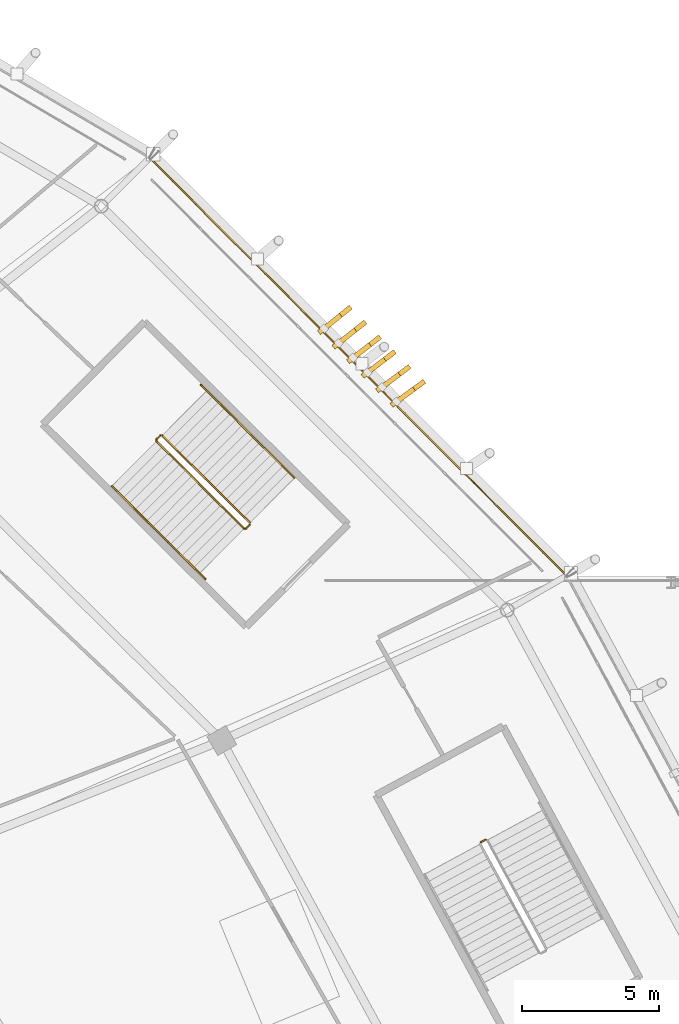
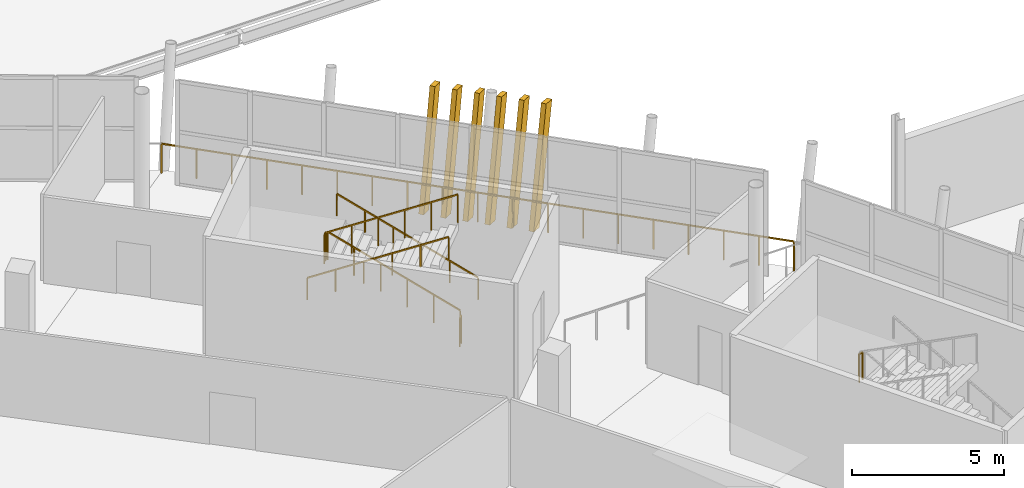
# One storey, part 167 of 179: 8 railings, 6 shading devices.
"""IFC4 building model written with IfcOpenShell, lengths in metres."""

from ifc_helpers import new_model, si_unit, direction, frame, origin, origin_2d, place, context, subcontext, project, spatial, rectangle, extrude, material, material_profile, profile_set, type_object, element, save


model = new_model("IFC4")

# Units and contexts
model_context = context("Model", 3, precision=1e-05, world=origin(), true_north=direction((0.0, 1.0)))
body_context = subcontext(model_context, "Body", "Model", "MODEL_VIEW")
ifc_project = project(units=[si_unit("LENGTHUNIT", "METRE"), si_unit("AREAUNIT", "SQUARE_METRE"), si_unit("VOLUMEUNIT", "CUBIC_METRE"), si_unit("PLANEANGLEUNIT", "RADIAN"), si_unit("MASSUNIT", "GRAM", prefix="KILO")], contexts=[model_context])

# Site, building, storey
site_placement = place(None, origin())
site = spatial("IfcSite", under=ifc_project, at=site_placement, CompositionType="ELEMENT")
building_placement = place(site_placement, origin())
building = spatial("IfcBuilding", under=site, at=building_placement, Name="Zlatoyarsky Gate Stadium", CompositionType="ELEMENT")
storey_placement = place(building_placement, frame((0.0, 0.0, 10.60009765625)))
storey = spatial("IfcBuildingStorey", under=building, at=storey_placement, Name="L02", CompositionType="ELEMENT", Elevation=10.60009765625)

# Railings
ifc_material_1 = material(Name="Powder-coated steel tubular guardrail", Category="steel")
railing_type_1 = type_object("IfcRailingType", Name="CONCOURSE SLAB EDGE GUARDRAIL 1200", PredefinedType="GUARDRAIL", material=ifc_material_1)
railing_1_placement = place(storey_placement, frame((193.701904296875, 116.747802734375, 0.0)))
element("IfcRailing", 1, at=railing_1_placement, inside=storey, type_object=railing_type_1, Name="L02 outer slab edge guardrail 02", PredefinedType="GUARDRAIL", context=body_context, shape_type="SweptSolid", body=[
    extrude(rectangle(XDim=0.048095703125, YDim=0.048095703125, at=origin_2d()), frame((0.0, 0.0, 1.17578125), z_axis=(-0.706043981581, 0.708167985773, 0.0), x_axis=(-0.708167985773, -0.706043981581, 0.0)), (0.0, 0.0, 1.0), 21.494384765625),
    extrude(rectangle(XDim=0.0419921875, YDim=0.0419921875, at=origin_2d()), origin(), (0.0, 0.0, 1.0), 1.15185546875),
    extrude(rectangle(XDim=0.0419921875, YDim=0.0419921875, at=origin_2d()), frame((-0.843017578125, 0.845703125, 0.0)), (0.0, 0.0, 1.0), 1.15185546875),
    extrude(rectangle(XDim=0.0419921875, YDim=0.0419921875, at=origin_2d()), frame((-1.686279296875, 1.69140625, 0.0)), (0.0, 0.0, 1.0), 1.15185546875),
    extrude(rectangle(XDim=0.0419921875, YDim=0.0419921875, at=origin_2d()), frame((-2.529296875, 2.536865234375, 0.0)), (0.0, 0.0, 1.0), 1.15185546875),
    extrude(rectangle(XDim=0.0419921875, YDim=0.0419921875, at=origin_2d()), frame((-3.37255859375, 3.382568359375, 0.0)), (0.0, 0.0, 1.0), 1.15185546875),
    extrude(rectangle(XDim=0.0419921875, YDim=0.0419921875, at=origin_2d()), frame((-4.215576171875, 4.228271484375, 0.0)), (0.0, 0.0, 1.0), 1.15185546875),
    extrude(rectangle(XDim=0.0419921875, YDim=0.0419921875, at=origin_2d()), frame((-5.05859375, 5.073974609375, 0.0)), (0.0, 0.0, 1.0), 1.15185546875),
    extrude(rectangle(XDim=0.0419921875, YDim=0.0419921875, at=origin_2d()), frame((-5.90185546875, 5.91943359375, 0.0)), (0.0, 0.0, 1.0), 1.15185546875),
    extrude(rectangle(XDim=0.0419921875, YDim=0.0419921875, at=origin_2d()), frame((-6.744873046875, 6.76513671875, 0.0)), (0.0, 0.0, 1.0), 1.15185546875),
    extrude(rectangle(XDim=0.0419921875, YDim=0.0419921875, at=origin_2d()), frame((-7.587890625, 7.61083984375, 0.0)), (0.0, 0.0, 1.0), 1.15185546875),
    extrude(rectangle(XDim=0.0419921875, YDim=0.0419921875, at=origin_2d()), frame((-8.43115234375, 8.45654296875, 0.0)), (0.0, 0.0, 1.0), 1.15185546875),
    extrude(rectangle(XDim=0.0419921875, YDim=0.0419921875, at=origin_2d()), frame((-9.274169921875, 9.30224609375, 0.0)), (0.0, 0.0, 1.0), 1.15185546875),
    extrude(rectangle(XDim=0.0419921875, YDim=0.0419921875, at=origin_2d()), frame((-10.117431640625, 10.147705078125, 0.0)), (0.0, 0.0, 1.0), 1.15185546875),
    extrude(rectangle(XDim=0.0419921875, YDim=0.0419921875, at=origin_2d()), frame((-10.96044921875, 10.993408203125, 0.0)), (0.0, 0.0, 1.0), 1.15185546875),
    extrude(rectangle(XDim=0.0419921875, YDim=0.0419921875, at=origin_2d()), frame((-11.803466796875, 11.839111328125, 0.0)), (0.0, 0.0, 1.0), 1.15185546875),
    extrude(rectangle(XDim=0.0419921875, YDim=0.0419921875, at=origin_2d()), frame((-12.646728515625, 12.684814453125, 0.0)), (0.0, 0.0, 1.0), 1.15185546875),
    extrude(rectangle(XDim=0.0419921875, YDim=0.0419921875, at=origin_2d()), frame((-13.48974609375, 13.5302734375, 0.0)), (0.0, 0.0, 1.0), 1.15185546875),
    extrude(rectangle(XDim=0.0419921875, YDim=0.0419921875, at=origin_2d()), frame((-14.3330078125, 14.3759765625, 0.0)), (0.0, 0.0, 1.0), 1.15185546875),
    extrude(rectangle(XDim=0.0419921875, YDim=0.0419921875, at=origin_2d()), frame((-15.176025390625, 15.2216796875, 0.0)), (0.0, 0.0, 1.0), 1.15185546875),
])
ifc_material_2 = material(Name="Powder-coated steel stair guardrail", Category="steel")
railing_type_2 = type_object("IfcRailingType", Name="PAINTED STEEL STAIR WELL GUARDRAIL 1150", PredefinedType="GUARDRAIL", material=ifc_material_2)
railing_2_placement = place(storey_placement, frame((182.170654296875, 118.681396484375, 0.15625)))
element("IfcRailing", 2, at=railing_2_placement, inside=storey, type_object=railing_type_2, Name="ST-02 L02 stair guard 1", PredefinedType="GUARDRAIL", context=body_context, shape_type="SweptSolid", body=[
    extrude(rectangle(XDim=0.048095703125, YDim=0.048095703125, at=origin_2d()), frame((0.0, 0.0, 1.1259765625), z_axis=(-0.62872528803, 0.625549421735, 0.461944188358), x_axis=(-0.705314101777, -0.708894927217, 0.0)), (0.0, 0.0, 1.0), 5.07373046875),
    extrude(rectangle(XDim=0.0419921875, YDim=0.0419921875, at=origin_2d()), origin(), (0.0, 0.0, 1.0), 1.101806640625),
    extrude(rectangle(XDim=0.0419921875, YDim=0.0419921875, at=origin_2d()), frame((-0.637939453125, 0.634765625, 0.46875)), (0.0, 0.0, 1.0), 1.101806640625),
    extrude(rectangle(XDim=0.0419921875, YDim=0.0419921875, at=origin_2d()), frame((-1.27587890625, 1.26953125, 0.9375)), (0.0, 0.0, 1.0), 1.101806640625),
    extrude(rectangle(XDim=0.0419921875, YDim=0.0419921875, at=origin_2d()), frame((-1.9140625, 1.904296875, 1.40625)), (0.0, 0.0, 1.0), 1.101806640625),
    extrude(rectangle(XDim=0.0419921875, YDim=0.0419921875, at=origin_2d()), frame((-2.552001953125, 2.5390625, 1.875)), (0.0, 0.0, 1.0), 1.101806640625),
    extrude(rectangle(XDim=0.0419921875, YDim=0.0419921875, at=origin_2d()), frame((-3.18994140625, 3.173828125, 2.34375)), (0.0, 0.0, 1.0), 1.101806640625),
])
railing_3_placement = place(storey_placement, frame((178.909912109375, 121.85498046875, 2.5)))
element("IfcRailing", 3, at=railing_3_placement, inside=storey, type_object=railing_type_2, Name="ST-02 L02 stair guard 2", PredefinedType="GUARDRAIL", context=body_context, shape_type="SweptSolid", body=[
    extrude(rectangle(XDim=0.048095703125, YDim=0.048095703125, at=origin_2d()), frame((0.0, 0.0, 1.1259765625), z_axis=(-0.705884473151, -0.708326979978, 0.0), x_axis=(0.708326979978, -0.705884473151, 0.0)), (0.0, 0.0, 1.0), 0.199951171875),
    extrude(rectangle(XDim=0.0419921875, YDim=0.0419921875, at=origin_2d()), origin(), (0.0, 0.0, 1.0), 1.101806640625),
    extrude(rectangle(XDim=0.0419921875, YDim=0.0419921875, at=origin_2d()), frame((-0.14111328125, -0.1416015625, 0.0)), (0.0, 0.0, 1.0), 1.101806640625),
])
railing_4_placement = place(storey_placement, frame((178.76904296875, 121.642578125, 2.65625)))
element("IfcRailing", 4, at=railing_4_placement, inside=storey, type_object=railing_type_2, Name="ST-02 L02 stair guard 3", PredefinedType="GUARDRAIL", context=body_context, shape_type="SweptSolid", body=[
    extrude(rectangle(XDim=0.048095703125, YDim=0.048095703125, at=origin_2d()), frame((0.0, 0.0, 1.1259765625), z_axis=(0.628754384599, -0.625530496655, 0.461930212914), x_axis=(0.705286975187, 0.708921915751, 0.0)), (0.0, 0.0, 1.0), 5.07373046875),
    extrude(rectangle(XDim=0.0419921875, YDim=0.0419921875, at=origin_2d()), origin(), (0.0, 0.0, 1.0), 1.101806640625),
    extrude(rectangle(XDim=0.0419921875, YDim=0.0419921875, at=origin_2d()), frame((0.637939453125, -0.634765625, 0.46875)), (0.0, 0.0, 1.0), 1.101806640625),
    extrude(rectangle(XDim=0.0419921875, YDim=0.0419921875, at=origin_2d()), frame((1.276123046875, -1.26953125, 0.9375)), (0.0, 0.0, 1.0), 1.101806640625),
    extrude(rectangle(XDim=0.0419921875, YDim=0.0419921875, at=origin_2d()), frame((1.9140625, -1.904296875, 1.40625)), (0.0, 0.0, 1.0), 1.101806640625),
    extrude(rectangle(XDim=0.0419921875, YDim=0.0419921875, at=origin_2d()), frame((2.55224609375, -2.5390625, 1.875)), (0.0, 0.0, 1.0), 1.101806640625),
    extrude(rectangle(XDim=0.0419921875, YDim=0.0419921875, at=origin_2d()), frame((3.190185546875, -3.173828125, 2.34375)), (0.0, 0.0, 1.0), 1.101806640625),
])
railing_5_placement = place(storey_placement, frame((182.1708984375, 118.610595703125, 0.0)))
element("IfcRailing", 5, at=railing_5_placement, inside=storey, type_object=railing_type_2, Name="ST-02 L02 stair guard 4", PredefinedType="GUARDRAIL", context=body_context, shape_type="SweptSolid", body=[
    extrude(rectangle(XDim=0.048095703125, YDim=0.048095703125, at=origin_2d()), frame((0.0, 0.0, 1.1259765625), z_axis=(-0.705884473151, -0.708326979978, 0.0), x_axis=(0.708326979978, -0.705884473151, 0.0)), (0.0, 0.0, 1.0), 0.199951171875),
    extrude(rectangle(XDim=0.0419921875, YDim=0.0419921875, at=origin_2d()), origin(), (0.0, 0.0, 1.0), 1.101806640625),
    extrude(rectangle(XDim=0.0419921875, YDim=0.0419921875, at=origin_2d()), frame((-0.14111328125, -0.1416015625, 0.0)), (0.0, 0.0, 1.0), 1.101806640625),
])
railing_6_placement = place(storey_placement, frame((190.7509765625, 107.14208984375, 2.5)))
element("IfcRailing", 6, at=railing_6_placement, inside=storey, type_object=railing_type_2, Name="ST-13 L02 stair guard 2", PredefinedType="GUARDRAIL", context=body_context, shape_type="SweptSolid", body=[
    extrude(rectangle(XDim=0.048095703125, YDim=0.048095703125, at=origin_2d()), frame((0.0, 0.0, 1.1259765625), z_axis=(-0.878780312785, -0.477226530971, 0.0), x_axis=(0.477226530971, -0.878780312785, 0.0)), (0.0, 0.0, 1.0), 0.199951171875),
    extrude(rectangle(XDim=0.0419921875, YDim=0.0419921875, at=origin_2d()), origin(), (0.0, 0.0, 1.0), 1.101806640625),
    extrude(rectangle(XDim=0.0419921875, YDim=0.0419921875, at=origin_2d()), frame((-0.17578125, -0.095458984375, 0.0)), (0.0, 0.0, 1.0), 1.101806640625),
])

# Shading devices
ifc_material_3 = material(Name="Precast concrete C40/50 stone-toned architectural rib", Category="masonry")
ifc_material_profile = material_profile(ifc_material_3, rectangle(XDim=0.179931640625, YDim=0.47998046875, at=origin_2d()), Name="RIB 180X480")
ifc_profile_set = profile_set([ifc_material_profile], Name="Precast concrete C40/50 stone-toned architectural rib")
shading_device_type = type_object("IfcShadingDeviceType", Name="PRECAST RIBBED BOWL LOUVRE FIN 180X480", PredefinedType="JALOUSIE", material=ifc_profile_set)
shading_device_placement = place(storey_placement, frame((187.51611328125, 123.091064453125, -0.010009765625), z_axis=(0.178821909415, 0.130781788728, 0.97515067987), x_axis=(-0.590323267445, 0.807166921964, 0.0)))
element("IfcShadingDevice", 7, at=shading_device_placement, inside=storey, type_object=shading_device_type, Name="Leaning bowl louvre fin L02-02-1", PredefinedType="JALOUSIE", context=body_context, shape_type="SweptSolid", body=[
    extrude(rectangle(XDim=0.179931640625, YDim=0.47998046875, at=origin_2d()), origin(), (0.0, 0.0, 1.0), 4.59423828125),
])
for number, where, z_axis, x_axis, name in (
    (8, (186.98681640625, 123.622314453125, -0.010009765625), (0.177548363437, 0.132430566203, 0.975160870716), (-0.597886593445, 0.801580701725, 0.0), "Leaning bowl louvre fin L02-02-2"),
    (9, (186.457275390625, 124.1533203125, -0.010009765625), (0.176325516309, 0.134077539978, 0.975157692669), (-0.605283981389, 0.796009611672, 0.0), "Leaning bowl louvre fin L02-02-3"),
    (10, (185.927734375, 124.684814453125, -0.010009765625), (0.175104465299, 0.13561960408, 0.975164472908), (-0.612328041974, 0.790603800277, 0.0), "Leaning bowl louvre fin L02-02-4"),
):
    element("IfcShadingDevice", number, at=place(storey_placement, frame(where, z_axis=z_axis, x_axis=x_axis)), inside=storey, type_object=shading_device_type, Name=name, PredefinedType="JALOUSIE", context=body_context, shape_type="SweptSolid", body=[
        extrude(rectangle(XDim=0.179931640625, YDim=0.47998046875, at=origin_2d()), origin(), (0.0, 0.0, 1.0), 4.593994140625),
    ])
for number, where, z_axis, x_axis, name in (
    (11, (185.398193359375, 125.2158203125, -0.010009765625), (0.173880188722, 0.13726544238, 0.975153258877), (-0.619620954857, 0.78490118633, 0.0), "Leaning bowl louvre fin L02-02-5"),
    (12, (184.868896484375, 125.7470703125, -0.010009765625), (0.172604930149, 0.138859816034, 0.975154085045), (-0.626828302865, 0.779157415884, 0.0), "Leaning bowl louvre fin L02-02-6"),
):
    element("IfcShadingDevice", number, at=place(storey_placement, frame(where, z_axis=z_axis, x_axis=x_axis)), inside=storey, type_object=shading_device_type, Name=name, PredefinedType="JALOUSIE", context=body_context, shape_type="SweptSolid", body=[
        extrude(rectangle(XDim=0.179931640625, YDim=0.47998046875, at=origin_2d()), origin(), (0.0, 0.0, 1.0), 4.59423828125),
    ])

# Railings
ifc_material_4 = material(Name="Brushed stainless steel 316 handrail", Category="steel")
railing_type_3 = type_object("IfcRailingType", Name="STAINLESS STEEL TUBULAR HANDRAIL 900", PredefinedType="HANDRAIL", material=ifc_material_4)
railing_7_placement = place(storey_placement, frame((183.79296875, 120.311767578125, 0.16015625)))
element("IfcRailing", 13, at=railing_7_placement, inside=storey, type_object=railing_type_3, Name="ST-02 L02 stair handrail 1", PredefinedType="HANDRAIL", context=body_context, shape_type="SweptSolid", body=[
    extrude(rectangle(XDim=0.048095703125, YDim=0.048095703125, at=origin_2d()), frame((0.0, 0.0, 0.8759765625), z_axis=(-0.628744833628, 0.625542015205, 0.461927614891), x_axis=(-0.705298886343, -0.708910065469, 0.0)), (0.0, 0.0, 1.0), 5.412109375),
    extrude(rectangle(XDim=0.0419921875, YDim=0.0419921875, at=origin_2d()), origin(), (0.0, 0.0, 1.0), 0.851806640625),
    extrude(rectangle(XDim=0.0419921875, YDim=0.0419921875, at=origin_2d()), frame((-0.6806640625, 0.677001953125, 0.5)), (0.0, 0.0, 1.0), 0.851806640625),
    extrude(rectangle(XDim=0.0419921875, YDim=0.0419921875, at=origin_2d()), frame((-1.361083984375, 1.354248046875, 1.0)), (0.0, 0.0, 1.0), 0.851806640625),
    extrude(rectangle(XDim=0.0419921875, YDim=0.0419921875, at=origin_2d()), frame((-2.041748046875, 2.03125, 1.5)), (0.0, 0.0, 1.0), 0.851806640625),
    extrude(rectangle(XDim=0.0419921875, YDim=0.0419921875, at=origin_2d()), frame((-2.72216796875, 2.70849609375, 2.0)), (0.0, 0.0, 1.0), 0.851806640625),
    extrude(rectangle(XDim=0.0419921875, YDim=0.0419921875, at=origin_2d()), frame((-3.40283203125, 3.385498046875, 2.5)), (0.0, 0.0, 1.0), 0.851806640625),
])
railing_8_placement = place(storey_placement, frame((177.14697265625, 120.01220703125, 2.66015625)))
element("IfcRailing", 14, at=railing_8_placement, inside=storey, type_object=railing_type_3, Name="ST-02 L02 stair handrail 2", PredefinedType="HANDRAIL", context=body_context, shape_type="SweptSolid", body=[
    extrude(rectangle(XDim=0.048095703125, YDim=0.048095703125, at=origin_2d()), frame((0.0, 0.0, 0.8759765625), z_axis=(0.628717555284, -0.625559757417, 0.461940716518), x_axis=(0.705324317314, 0.708884763136, 0.0)), (0.0, 0.0, 1.0), 5.411865234375),
    extrude(rectangle(XDim=0.0419921875, YDim=0.0419921875, at=origin_2d()), origin(), (0.0, 0.0, 1.0), 0.851806640625),
    extrude(rectangle(XDim=0.0419921875, YDim=0.0419921875, at=origin_2d()), frame((0.680419921875, -0.677001953125, 0.5)), (0.0, 0.0, 1.0), 0.851806640625),
    extrude(rectangle(XDim=0.0419921875, YDim=0.0419921875, at=origin_2d()), frame((1.361083984375, -1.354248046875, 1.0)), (0.0, 0.0, 1.0), 0.851806640625),
    extrude(rectangle(XDim=0.0419921875, YDim=0.0419921875, at=origin_2d()), frame((2.04150390625, -2.03125, 1.5)), (0.0, 0.0, 1.0), 0.851806640625),
    extrude(rectangle(XDim=0.0419921875, YDim=0.0419921875, at=origin_2d()), frame((2.72216796875, -2.70849609375, 2.0)), (0.0, 0.0, 1.0), 0.851806640625),
    extrude(rectangle(XDim=0.0419921875, YDim=0.0419921875, at=origin_2d()), frame((3.402587890625, -3.385498046875, 2.5)), (0.0, 0.0, 1.0), 0.851806640625),
])

save(model, "model.ifc")
